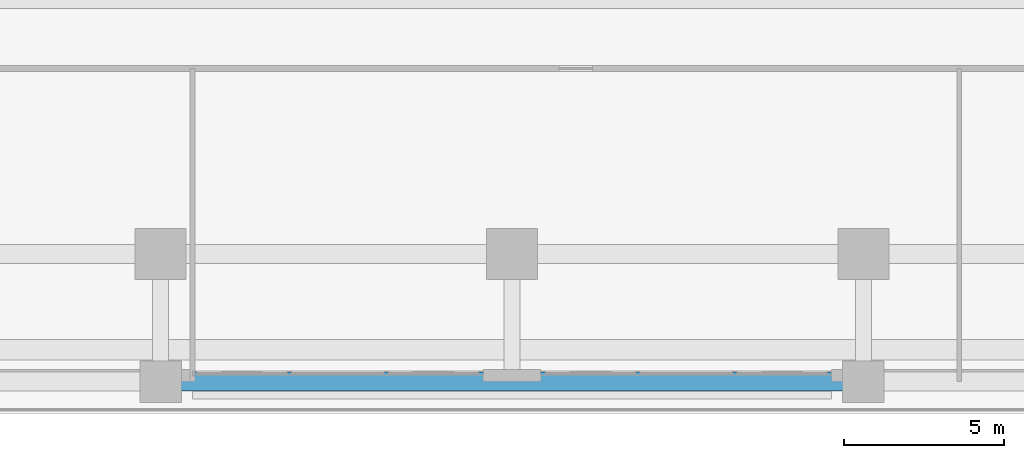
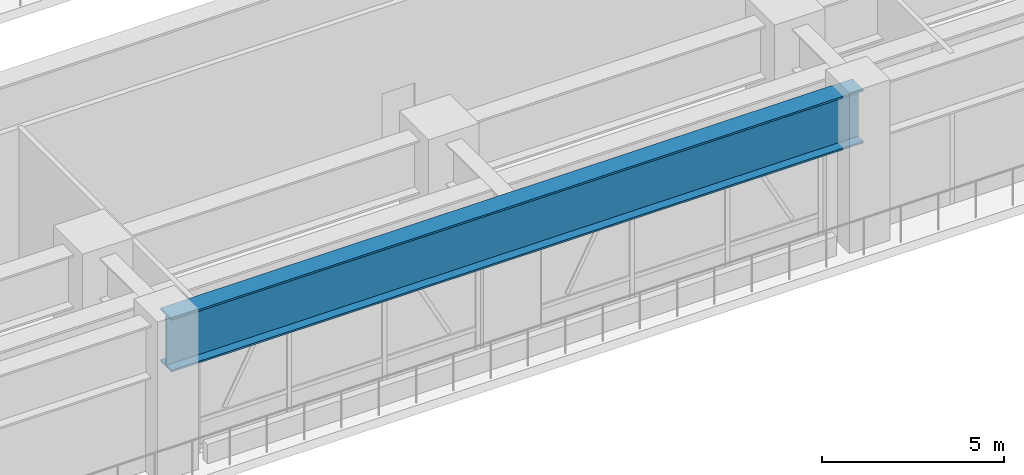
# One storey, part 3 of 28: 1 beam.
"""IFC4 building model written with IfcOpenShell, lengths in metres."""

from ifc_helpers import new_model, si_unit, direction, frame, origin, origin_2d, place, context, subcontext, project, spatial, i_section, extrude, source, transform, mapped, material, material_profile, profile_set, type_object, element, save


model = new_model("IFC4")

# Units and contexts
model_context = context("Model", 3, precision=1e-05, world=origin(), true_north=direction((0.0, 1.0)))
body_context = subcontext(model_context, "Body", "Model", "MODEL_VIEW")
ifc_project = project(units=[si_unit("LENGTHUNIT", "METRE"), si_unit("AREAUNIT", "SQUARE_METRE"), si_unit("VOLUMEUNIT", "CUBIC_METRE"), si_unit("PLANEANGLEUNIT", "RADIAN"), si_unit("MASSUNIT", "GRAM", prefix="KILO")], contexts=[model_context])

# Site, building, storey
site_placement = place(None, origin())
site = spatial("IfcSite", under=ifc_project, at=site_placement, CompositionType="ELEMENT")
building_placement = place(site_placement, origin())
building = spatial("IfcBuilding", under=site, at=building_placement, Name="Khorayat Bourse Tower", CompositionType="ELEMENT")
storey_placement = place(building_placement, frame((0.0, 0.0, 12.0)))
storey = spatial("IfcBuildingStorey", under=building, at=storey_placement, Name="L02", CompositionType="ELEMENT", Elevation=12.0)

# Beam
ifc_material = material(Name="Steel EN 10025-4 S460M", Category="steel")
ifc_material_profile = material_profile(ifc_material, i_section(OverallWidth=0.60009765625, OverallDepth=1.800048828125, WebThickness=0.031982421875, FlangeThickness=0.06005859375, at=origin_2d()), Name="PG 1800x600x32x60")
ifc_profile_set = profile_set([ifc_material_profile], Name="Steel EN 10025-4 S460M")
beam_type = type_object("IfcBeamType", Name="BM-TR-1800", PredefinedType="BEAM", material=ifc_profile_set)
shared_shape = source(origin(), body_context, "Body", "SweptSolid", [
    extrude(i_section(OverallWidth=0.60009765625, OverallDepth=1.800048828125, WebThickness=0.031982421875, FlangeThickness=0.06005859375, at=origin_2d()), origin(), (0.0, 0.0, 1.0), 22.0),
])
beam_placement = place(storey_placement, frame((-11.0, -36.0, 4.179931640625), z_axis=(1.0, 0.0, 0.0), x_axis=(0.0, 1.0, 0.0)))
element("IfcBeam", 1, at=beam_placement, inside=storey, type_object=beam_type, Name="L02 BM-TR-1800 BM-L02-PGX-027", PredefinedType="BEAM", context=body_context, shape_type="MappedRepresentation", body=[
    mapped(shared_shape, transform((0.0, 0.0, 0.0), scale=1.0)),
])

save(model, "model.ifc")
